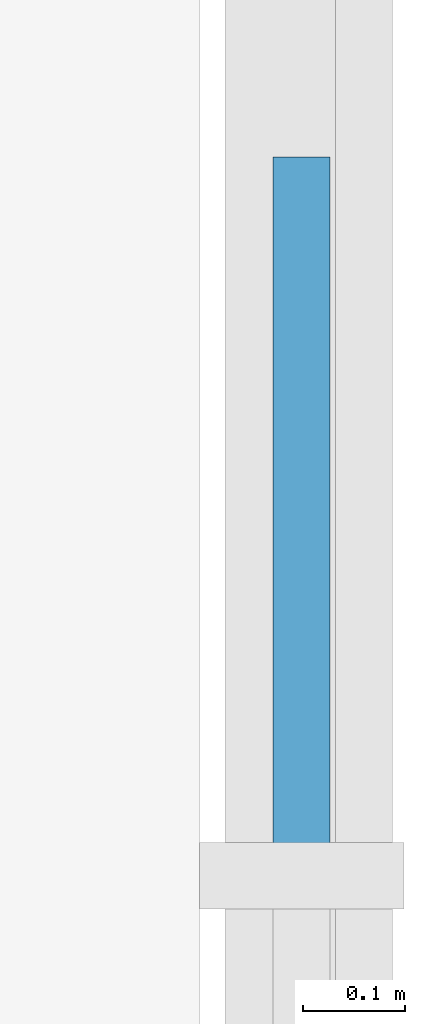
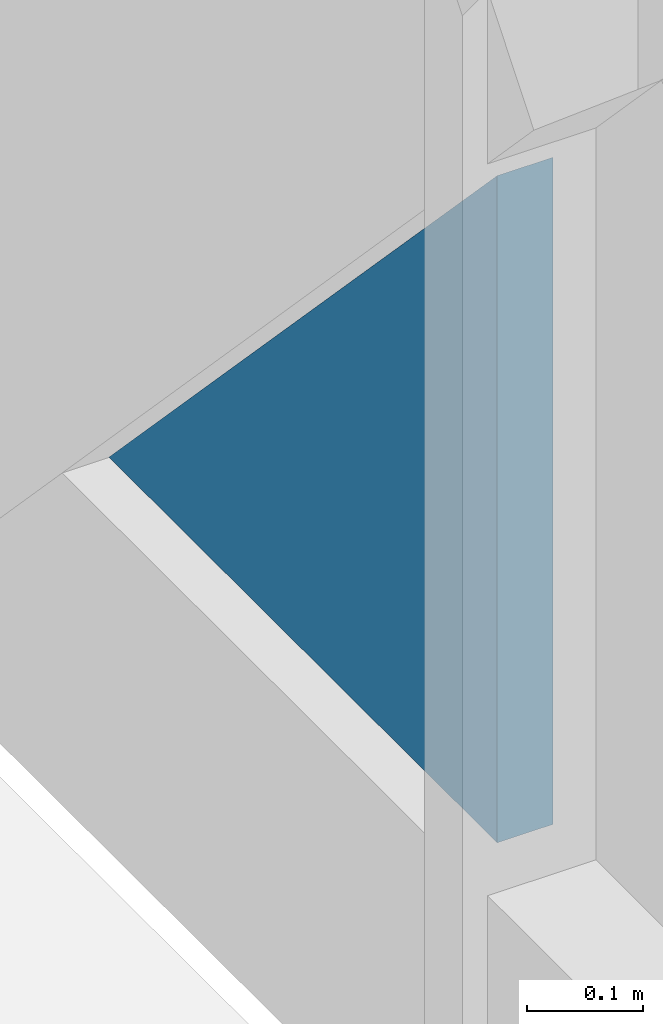
# One storey, part 12 of 17: 1 plate, 1 element without a shape of its own.
"""IFC4 building model written with IfcOpenShell, lengths in metres."""

import ifcopenshell
import ifcopenshell.guid

model = None  # the IFC model being written
_history = None  # IfcOwnerHistory: only IFC2X3 demands one
_inside = {}  # id of a spatial element -> (the spatial element, [elements in it])
_under = {}  # id of a project, library or spatial element -> (it, [spatial elements below it])
_declared = {}  # id of a project -> (the project, [libraries it declares])
_typed = {}  # id of a type object -> (the type object, [elements of that type])
_made_of = {}  # id of a material, layer set ... -> (it, [elements and type objects made of it])


def new_model(schema):
    """Start an empty IFC model of exactly this schema.

    Asked for "IFC4X3", IfcOpenShell would pick the latest addendum, in which some entities
    have other attributes; the version numbers below select the first issue.
    IFC2X3 requires an IfcOwnerHistory on every rooted entity: one is made here for all.
    """
    global model, _history
    if schema == "IFC4X3":
        model = ifcopenshell.file(schema_version=(4, 3, 0, 0))
    else:
        model = ifcopenshell.file(schema=schema)
    _inside.clear()
    _under.clear()
    _declared.clear()
    _typed.clear()
    _made_of.clear()
    _history = None
    if model.schema == "IFC2X3":
        org = make("IfcOrganization", Name="unknown")
        user = make(
            "IfcPersonAndOrganization",
            ThePerson=make("IfcPerson", FamilyName="unknown"),
            TheOrganization=org,
        )
        app = make(
            "IfcApplication",
            ApplicationDeveloper=org,
            Version="unknown",
            ApplicationFullName="unknown",
            ApplicationIdentifier="unknown",
        )
        _history = make(
            "IfcOwnerHistory",
            OwningUser=user,
            OwningApplication=app,
            ChangeAction="ADDED",
            CreationDate=0,
        )
    return model


def make(cls, **values):
    """One entity of the class cls with the attributes given. An attribute that is None is left unset."""
    return model.create_entity(
        cls, **{name: value for name, value in values.items() if value is not None}
    )


def rooted(cls, **values):
    """An entity with a GlobalId (a new one), such as an element, a storey or a relation."""
    return make(cls, GlobalId=ifcopenshell.guid.new(), OwnerHistory=_history, **values)


def si_unit(unit_type, name, prefix=None):
    """IfcSIUnit, for example si_unit("LENGTHUNIT", "METRE", prefix="MILLI")."""
    return make("IfcSIUnit", UnitType=unit_type, Prefix=prefix, Name=name)


def assignment(units):
    """IfcUnitAssignment: the units of a project."""
    return None if units is None else make("IfcUnitAssignment", Units=units)


def point(xyz):
    """IfcCartesianPoint."""
    return None if xyz is None else make("IfcCartesianPoint", Coordinates=xyz)


def direction(xyz):
    """IfcDirection."""
    return None if xyz is None else make("IfcDirection", DirectionRatios=xyz)


def frame(location, z_axis=None, x_axis=None):
    """IfcAxis2Placement3D, a coordinate frame: its origin and axes. An axis left out is left unset."""
    return make(
        "IfcAxis2Placement3D",
        Location=point(location),
        Axis=direction(z_axis),
        RefDirection=direction(x_axis),
    )


def origin():
    """The frame at (0, 0, 0) with its axes left unset."""
    return frame((0.0, 0.0, 0.0))


def place(relative_to, where):
    """IfcLocalPlacement: puts the frame where relative to a parent placement (None: the world)."""
    return make(
        "IfcLocalPlacement", PlacementRelTo=relative_to, RelativePlacement=where
    )


def context(
    kind, dimensions, precision=None, world=None, true_north=None, identifier=None
):
    """IfcGeometricRepresentationContext, for example the 3D "Model" context."""
    return make(
        "IfcGeometricRepresentationContext",
        ContextIdentifier=identifier,
        ContextType=kind,
        CoordinateSpaceDimension=dimensions,
        Precision=precision,
        WorldCoordinateSystem=world,
        TrueNorth=true_north,
    )


def subcontext(parent, identifier, kind, view, scale=None):
    """IfcGeometricRepresentationSubContext, for example "Body" below "Model"."""
    return make(
        "IfcGeometricRepresentationSubContext",
        ContextIdentifier=identifier,
        ContextType=kind,
        ParentContext=parent,
        TargetScale=scale,
        TargetView=view,
    )


def project(units=None, contexts=None):
    """IfcProject with its units and contexts."""
    return rooted(
        "IfcProject",
        Name="project",
        RepresentationContexts=contexts,
        UnitsInContext=assignment(units),
    )


def spatial(cls, under=None, at=None, **own):
    """A site, building, storey or space (cls), placed at a placement, below another one or the project."""
    s = rooted(cls, ObjectPlacement=at, **own)
    if under is not None:
        _under.setdefault(under.id(), (under, []))[1].append(s)
    return s


def polyline(points):
    """IfcPolyline through the points."""
    return make("IfcPolyline", Points=[point(p) for p in points])


def outline(outer, holes=None, kind="AREA"):
    """IfcArbitraryClosedProfileDef: a profile drawn as a closed curve; with holes, ...WithVoids."""
    if holes is None:
        return make("IfcArbitraryClosedProfileDef", ProfileType=kind, OuterCurve=outer)
    return make(
        "IfcArbitraryProfileDefWithVoids",
        ProfileType=kind,
        OuterCurve=outer,
        InnerCurves=holes,
    )


def extrude(swept, where, along, depth):
    """IfcExtrudedAreaSolid: the profile swept, set in the frame where, extruded along a direction by depth."""
    return make(
        "IfcExtrudedAreaSolid",
        SweptArea=swept,
        Position=where,
        ExtrudedDirection=direction(along),
        Depth=depth,
    )


def shape(context_of_items, identifier, shape_type, items):
    """IfcShapeRepresentation: the items that make up one representation, for example the "Body"."""
    return make(
        "IfcShapeRepresentation",
        ContextOfItems=context_of_items,
        RepresentationIdentifier=identifier,
        RepresentationType=shape_type,
        Items=items,
    )


def material(Name=None, Category=None):
    """IfcMaterial."""
    return make("IfcMaterial", Name=Name, Category=Category)


def layer(
    of_material, thickness, ventilated=None, Name=None, Category=None, Priority=None
):
    """IfcMaterialLayer: one layer of a wall or slab, of a material (None: an air gap)."""
    return make(
        "IfcMaterialLayer",
        Material=of_material,
        LayerThickness=thickness,
        IsVentilated=ventilated,
        Name=Name,
        Category=Category,
        Priority=Priority,
    )


def layer_set(layers, Name=None):
    """IfcMaterialLayerSet."""
    return make("IfcMaterialLayerSet", MaterialLayers=layers, LayerSetName=Name)


def made_of(thing, what):
    """Note that an element or type object is made of a material, layer set ...; save() writes the relation."""
    if what is not None:
        _made_of.setdefault(what.id(), (what, []))[1].append(thing)
    return thing


def type_object(cls, material=None, **own):
    """A type object (cls), such as IfcWallType, which elements share."""
    return made_of(rooted(cls, **own), material)


def element(
    cls,
    number,
    at=None,
    inside=None,
    cuts=None,
    type_object=None,
    material=None,
    context=None,
    identifier="Body",
    shape_type=None,
    held_by="IfcProductDefinitionShape",
    body=None,
    shapes=None,
    **own,
):
    """One element of the class cls, such as IfcWall. Its Tag is "e" and its number.

    at: its placement. inside: the storey or other place that contains it. cuts: it is an
    opening in that element (IfcRelVoidsElement). A single representation is given by context,
    identifier, shape_type and body (its items); several are given by shapes. held_by: the class
    of the entity that holds the representations. save() writes the other relations.
    """
    e = rooted(cls, Tag="e%d" % number, ObjectPlacement=at, **own)
    if body is not None:
        shapes = [shape(context, identifier, shape_type, body)]
    if shapes is not None:
        e.Representation = make(held_by, Representations=shapes)
    if inside is not None:
        _inside.setdefault(inside.id(), (inside, []))[1].append(e)
    if cuts is not None:
        rooted(
            "IfcRelVoidsElement", RelatingBuildingElement=cuts, RelatedOpeningElement=e
        )
    if type_object is not None:
        _typed.setdefault(type_object.id(), (type_object, []))[1].append(e)
    return made_of(e, material)


def aggregate(whole, parts):
    """IfcRelAggregates: a whole, such as a stair, and the parts it consists of."""
    return rooted("IfcRelAggregates", RelatingObject=whole, RelatedObjects=parts)


def save(model, path):
    """Write the relations noted so far, then the file.

    IfcRelAggregates (storeys below a building ...), IfcRelContainedInSpatialStructure (elements
    in a storey), IfcRelDefinesByType, IfcRelAssociatesMaterial and IfcRelDeclares: one each for
    every whole, place, type object, material and project.
    """
    for whole, parts in _under.values():
        aggregate(whole, parts)
    for where, things in _inside.values():
        rooted(
            "IfcRelContainedInSpatialStructure",
            RelatedElements=things,
            RelatingStructure=where,
        )
    for kind, things in _typed.values():
        rooted("IfcRelDefinesByType", RelatedObjects=things, RelatingType=kind)
    for what, things in _made_of.values():
        rooted("IfcRelAssociatesMaterial", RelatedObjects=things, RelatingMaterial=what)
    for by, libraries in _declared.values():
        rooted("IfcRelDeclares", RelatingContext=by, RelatedDefinitions=libraries)
    model.write(path)


model = new_model("IFC4")

# Units and contexts
model_context = context("Model", 3, precision=1e-05, world=origin(), true_north=direction((0.0, 1.0)))
body_context = subcontext(model_context, "Body", "Model", "MODEL_VIEW")
ifc_project = project(units=[si_unit("LENGTHUNIT", "METRE"), si_unit("AREAUNIT", "SQUARE_METRE"), si_unit("VOLUMEUNIT", "CUBIC_METRE"), si_unit("PLANEANGLEUNIT", "RADIAN"), si_unit("MASSUNIT", "GRAM", prefix="KILO")], contexts=[model_context])

# Site, building, storey
site_placement = place(None, origin())
site = spatial("IfcSite", under=ifc_project, at=site_placement, CompositionType="ELEMENT")
building_placement = place(site_placement, origin())
building = spatial("IfcBuilding", under=site, at=building_placement, Name="Rheinbord Bourse Tower", CompositionType="ELEMENT")
storey_placement = place(building_placement, frame((0.0, 0.0, 300.5)))
storey = spatial("IfcBuildingStorey", under=building, at=storey_placement, Name="L68", CompositionType="ELEMENT", Elevation=300.5)

# Curtain wall, plate
ifc_material_1 = material(Name="Dark glass and black aluminium", Category="aluminium")
curtain_wall_type = type_object("IfcCurtainWallType", Name="CW3 DARK GLASS CURTAIN WALL", PredefinedType="USERDEFINED", material=ifc_material_1)
curtain_wall_placement = place(storey_placement, origin())
curtain_wall = element("IfcCurtainWall", 1, at=curtain_wall_placement, inside=storey, type_object=curtain_wall_type, Name="Curtain wall CW3 E L68", ObjectType="UNITISED CURTAIN WALL", PredefinedType="USERDEFINED")
ifc_material_2 = material(Name="Dark tinted triple insulating glass", Category="glass")
ifc_layer = layer(ifc_material_2, 0.055908203125)
ifc_layer_set = layer_set([ifc_layer], Name="CW3 DARK GLASS PANEL")
plate_type = type_object("IfcPlateType", Name="CW3 DARK GLASS PANEL", PredefinedType="CURTAIN_PANEL", material=ifc_layer_set)
plate_placement = place(storey_placement, frame((70.3779296875, 14.23193359375, 0.35009765625), z_axis=(-1.0, 0.0, 0.0), x_axis=(0.0, 0.0, 1.0)))
plate = element("IfcPlate", 2, at=plate_placement, type_object=plate_type, Name="CW3 glass facet 1", PredefinedType="CURTAIN_PANEL", context=body_context, shape_type="SweptSolid", body=[
    extrude(outline(polyline([(0.0, 0.0), (0.702880859375, 0.0), (0.0, 0.670166015625), (0.0, 0.0)])), origin(), (0.0, 0.0, 1.0), 0.055908203125),
])
aggregate(curtain_wall, [plate])

save(model, "model.ifc")
